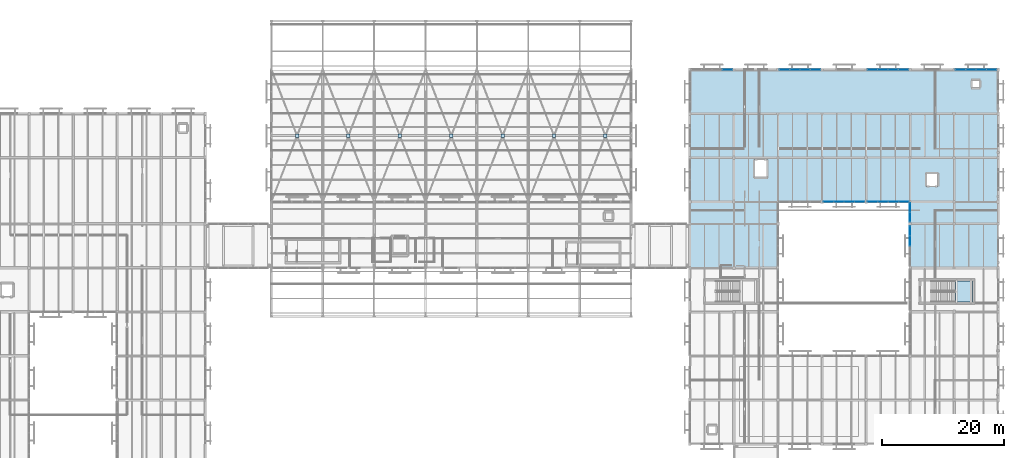
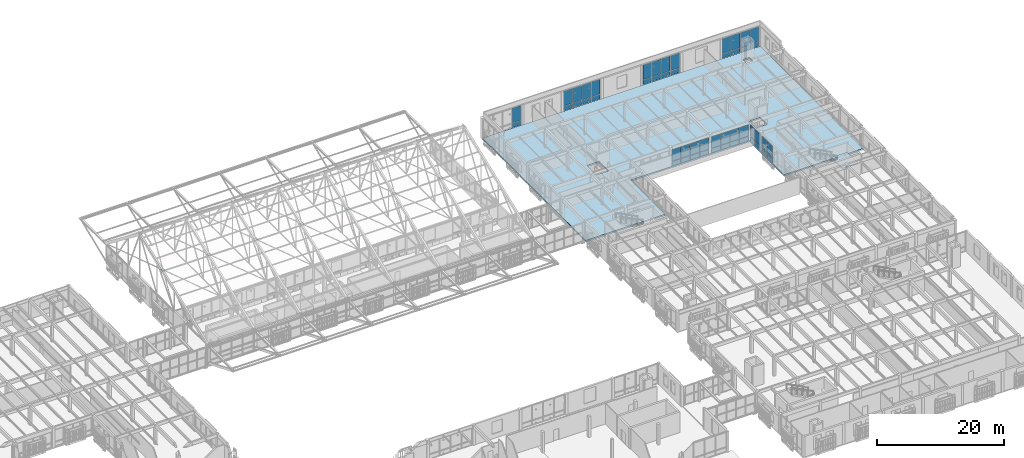
# One storey, part 174 of 217: 57 plates, 2 slabs, 9 elements without a shape of their own.
"""IFC4 building model written with IfcOpenShell, lengths in metres."""

from ifc_helpers import new_model, si_unit, direction, frame, origin, origin_2d, place, context, subcontext, project, spatial, polyline, rectangle, outline, extrude, material, layer, layer_set, type_object, element, aggregate, save


model = new_model("IFC4")

# Units and contexts
model_context = context("Model", 3, precision=1e-05, world=origin(), true_north=direction((0.0, 1.0)))
body_context = subcontext(model_context, "Body", "Model", "MODEL_VIEW")
ifc_project = project(units=[si_unit("LENGTHUNIT", "METRE"), si_unit("AREAUNIT", "SQUARE_METRE"), si_unit("VOLUMEUNIT", "CUBIC_METRE"), si_unit("PLANEANGLEUNIT", "RADIAN"), si_unit("MASSUNIT", "GRAM", prefix="KILO")], contexts=[model_context])

# Site, building, storey
site_placement = place(None, origin())
site = spatial("IfcSite", under=ifc_project, at=site_placement, CompositionType="ELEMENT")
building_placement = place(site_placement, origin())
building = spatial("IfcBuilding", under=site, at=building_placement, Name="Mazaris Harbour Polytechnic", CompositionType="ELEMENT")
storey_placement = place(building_placement, frame((0.0, 0.0, 9.60009765625)))
storey = spatial("IfcBuildingStorey", under=building, at=storey_placement, Name="L02", CompositionType="ELEMENT", Elevation=9.60009765625)

# Slab
ifc_material_1 = material(Name="Glulam GL28h and Concrete C30/37", Category="concrete")
ifc_layer_1 = layer(ifc_material_1, 0.280029296875, Name="Glulam GL28h and Concrete C30/37")
ifc_layer_set_1 = layer_set([ifc_layer_1], Name="Glulam GL28h and Concrete C30/37")
slab_type_1 = type_object("IfcSlabType", Name="CLT Composite Floor 280", PredefinedType="FLOOR", material=ifc_layer_set_1)
slab_1_placement = place(storey_placement, frame((0.0, 0.0, -0.280029296875)))
element("IfcSlab", 1, at=slab_1_placement, inside=storey, type_object=slab_type_1, Name="V5 L02 Floor Slab", PredefinedType="FLOOR", context=body_context, shape_type="SweptSolid", body=[
    extrude(outline(polyline([(172.800048828125, 75.60009765625), (158.39990234375, 75.60009765625), (158.39990234375, 86.39990234375), (136.800048828125, 86.39990234375), (136.800048828125, 75.60009765625), (122.39990234375, 75.60009765625), (122.39990234375, 108.0), (172.800048828125, 108.0), (172.800048828125, 75.60009765625)]), holes=[polyline([(135.10009765625, 93.300048828125), (132.89990234375, 93.300048828125), (132.89990234375, 90.300048828125), (135.10009765625, 90.300048828125), (135.10009765625, 93.300048828125)]), polyline([(163.0, 88.89990234375), (163.0, 91.10009765625), (161.0, 91.10009765625), (161.0, 88.89990234375), (163.0, 88.89990234375)]), polyline([(168.580078125, 106.199951171875), (168.580078125, 105.080078125), (169.699951171875, 105.080078125), (169.699951171875, 106.199951171875), (168.580078125, 106.199951171875)])]), origin(), (0.0, 0.0, 1.0), 0.280029296875),
])

# Stair, slab
ifc_material_2 = material(Name="Concrete C40/50", Category="concrete")
stair_type = type_object("IfcStairType", Name="Core Exit Stair H4200", PredefinedType="HALF_TURN_STAIR", material=ifc_material_2)
stair_placement = place(storey_placement, origin())
stair = element("IfcStair", 2, at=stair_placement, inside=storey, type_object=stair_type, Name="L02 ST10", PredefinedType="HALF_TURN_STAIR")
ifc_material_3 = material(Name="Concrete C40/50", Category="concrete")
ifc_layer_2 = layer(ifc_material_3, 0.199951171875, Name="Concrete C40/50")
ifc_layer_set_2 = layer_set([ifc_layer_2], Name="Concrete C40/50")
slab_type_2 = type_object("IfcSlabType", Name="RC Stair Landing 200", PredefinedType="LANDING", material=ifc_layer_set_2)
slab_2_placement = place(storey_placement, frame((0.0, 0.0, 1.89990234375)))
slab_2 = element("IfcSlab", 3, at=slab_2_placement, type_object=slab_type_2, Name="ST10 landing 1", PredefinedType="LANDING", context=body_context, shape_type="SweptSolid", body=[
    extrude(outline(polyline([(165.75, 70.0), (168.60009765625, 70.0), (168.60009765625, 73.449951171875), (165.75, 73.449951171875), (165.75, 70.0)])), origin(), (0.0, 0.0, 1.0), 0.199951171875),
])
aggregate(stair, [slab_2])

# Curtain wall, plates
ifc_material_4 = material(Name="Anodised Bronze Aluminium and Low-E Glass", Category="aluminium")
ifc_layer_3 = layer(ifc_material_4, 0.169921875, Name="Anodised Bronze Aluminium and Low-E Glass")
ifc_layer_set_3 = layer_set([ifc_layer_3], Name="Anodised Bronze Aluminium and Low-E Glass")
curtain_wall_type = type_object("IfcCurtainWallType", Name="Studio North-Light Curtain Wall", PredefinedType="NOTDEFINED", material=ifc_layer_set_3)
curtain_wall_1_placement = place(storey_placement, origin())
curtain_wall_1 = element("IfcCurtainWall", 4, at=curtain_wall_1_placement, inside=storey, type_object=curtain_wall_type, Name="V5 L02 Curtain Wall 227", PredefinedType="NOTDEFINED")
ifc_material_5 = material(Name="Solar-Control Low-E Glazing", Category="glass")
ifc_layer_4 = layer(ifc_material_5, 0.031982421875, Name="Solar-Control Low-E Glazing")
ifc_layer_set_4 = layer_set([ifc_layer_4], Name="Solar-Control Low-E Glazing")
plate_type_1 = type_object("IfcPlateType", Name="Solar Control Studio Glass Panel 32", PredefinedType="CURTAIN_PANEL", material=ifc_layer_set_4)
plate_1_placement = place(storey_placement, frame((128.54736328125, 108.0, 0.079833984375), z_axis=(0.0, 0.0, 1.0), x_axis=(1.0, 0.0, 0.0)))
plate_1 = element("IfcPlate", 5, at=plate_1_placement, type_object=plate_type_1, Name="CW-03 panel 4.1", PredefinedType="CURTAIN_PANEL", context=body_context, shape_type="SweptSolid", body=[
    extrude(rectangle(XDim=1.58154296875, YDim=0.031982421875, at=origin_2d()), origin(), (0.0, 0.0, 1.0), 0.830078125),
])
plate_2_placement = place(storey_placement, frame((128.54736328125, 108.0, 0.98974609375), z_axis=(0.0, 0.0, 1.0), x_axis=(1.0, 0.0, 0.0)))
plate_2 = element("IfcPlate", 6, at=plate_2_placement, type_object=plate_type_1, Name="CW-03 panel 4.2", PredefinedType="CURTAIN_PANEL", context=body_context, shape_type="SweptSolid", body=[
    extrude(rectangle(XDim=1.58154296875, YDim=0.031982421875, at=origin_2d()), origin(), (0.0, 0.0, 1.0), 2.85009765625),
])
aggregate(curtain_wall_1, [plate_1, plate_2])

curtain_wall_2_placement = place(storey_placement, origin())
curtain_wall_2 = element("IfcCurtainWall", 7, at=curtain_wall_2_placement, inside=storey, type_object=curtain_wall_type, Name="V5 L02 Curtain Wall 228", PredefinedType="NOTDEFINED")
plate_3_placement = place(storey_placement, frame((137.888916015625, 108.0, 0.079833984375), z_axis=(0.0, 0.0, 1.0), x_axis=(1.0, 0.0, 0.0)))
plate_3 = element("IfcPlate", 8, at=plate_3_placement, type_object=plate_type_1, Name="CW-03 panel 1.1", PredefinedType="CURTAIN_PANEL", context=body_context, shape_type="SweptSolid", body=[
    extrude(rectangle(XDim=1.573974609375, YDim=0.031982421875, at=origin_2d()), origin(), (0.0, 0.0, 1.0), 0.830078125),
])
plate_4_placement = place(storey_placement, frame((137.888916015625, 108.0, 0.98974609375), z_axis=(0.0, 0.0, 1.0), x_axis=(1.0, 0.0, 0.0)))
plate_4 = element("IfcPlate", 9, at=plate_4_placement, type_object=plate_type_1, Name="CW-03 panel 1.2", PredefinedType="CURTAIN_PANEL", context=body_context, shape_type="SweptSolid", body=[
    extrude(rectangle(XDim=1.573974609375, YDim=0.031982421875, at=origin_2d()), origin(), (0.0, 0.0, 1.0), 2.85009765625),
])
plate_5_placement = place(storey_placement, frame((139.56298828125, 108.0, 0.079833984375), z_axis=(0.0, 0.0, 1.0), x_axis=(1.0, 0.0, 0.0)))
plate_5 = element("IfcPlate", 10, at=plate_5_placement, type_object=plate_type_1, Name="CW-03 panel 2.1", PredefinedType="CURTAIN_PANEL", context=body_context, shape_type="SweptSolid", body=[
    extrude(rectangle(XDim=1.614013671875, YDim=0.031982421875, at=origin_2d()), origin(), (0.0, 0.0, 1.0), 0.830078125),
])
plate_6_placement = place(storey_placement, frame((139.56298828125, 108.0, 0.98974609375), z_axis=(0.0, 0.0, 1.0), x_axis=(1.0, 0.0, 0.0)))
plate_6 = element("IfcPlate", 11, at=plate_6_placement, type_object=plate_type_1, Name="CW-03 panel 2.2", PredefinedType="CURTAIN_PANEL", context=body_context, shape_type="SweptSolid", body=[
    extrude(rectangle(XDim=1.614013671875, YDim=0.031982421875, at=origin_2d()), origin(), (0.0, 0.0, 1.0), 2.85009765625),
])
plate_7_placement = place(storey_placement, frame((141.257080078125, 108.0, 0.079833984375), z_axis=(0.0, 0.0, 1.0), x_axis=(1.0, 0.0, 0.0)))
plate_7 = element("IfcPlate", 12, at=plate_7_placement, type_object=plate_type_1, Name="CW-03 panel 3.1", PredefinedType="CURTAIN_PANEL", context=body_context, shape_type="SweptSolid", body=[
    extrude(rectangle(XDim=1.614013671875, YDim=0.031982421875, at=origin_2d()), origin(), (0.0, 0.0, 1.0), 0.830078125),
])
plate_8_placement = place(storey_placement, frame((141.257080078125, 108.0, 0.98974609375), z_axis=(0.0, 0.0, 1.0), x_axis=(1.0, 0.0, 0.0)))
plate_8 = element("IfcPlate", 13, at=plate_8_placement, type_object=plate_type_1, Name="CW-03 panel 3.2", PredefinedType="CURTAIN_PANEL", context=body_context, shape_type="SweptSolid", body=[
    extrude(rectangle(XDim=1.614013671875, YDim=0.031982421875, at=origin_2d()), origin(), (0.0, 0.0, 1.0), 2.85009765625),
])
plate_9_placement = place(storey_placement, frame((142.930908203125, 108.0, 0.079833984375), z_axis=(0.0, 0.0, 1.0), x_axis=(1.0, 0.0, 0.0)))
plate_9 = element("IfcPlate", 14, at=plate_9_placement, type_object=plate_type_1, Name="CW-03 panel 4.1", PredefinedType="CURTAIN_PANEL", context=body_context, shape_type="SweptSolid", body=[
    extrude(rectangle(XDim=1.573974609375, YDim=0.031982421875, at=origin_2d()), origin(), (0.0, 0.0, 1.0), 0.830078125),
])
plate_10_placement = place(storey_placement, frame((142.930908203125, 108.0, 0.98974609375), z_axis=(0.0, 0.0, 1.0), x_axis=(1.0, 0.0, 0.0)))
plate_10 = element("IfcPlate", 15, at=plate_10_placement, type_object=plate_type_1, Name="CW-03 panel 4.2", PredefinedType="CURTAIN_PANEL", context=body_context, shape_type="SweptSolid", body=[
    extrude(rectangle(XDim=1.573974609375, YDim=0.031982421875, at=origin_2d()), origin(), (0.0, 0.0, 1.0), 2.85009765625),
])
aggregate(curtain_wall_2, [plate_3, plate_4, plate_5, plate_6, plate_7, plate_8, plate_9, plate_10])

curtain_wall_3_placement = place(storey_placement, origin())
curtain_wall_3 = element("IfcCurtainWall", 16, at=curtain_wall_3_placement, inside=storey, type_object=curtain_wall_type, Name="V5 L02 Curtain Wall 229", PredefinedType="NOTDEFINED")
plate_11_placement = place(storey_placement, frame((152.25146484375, 108.0, 0.079833984375), z_axis=(0.0, 0.0, 1.0), x_axis=(1.0, 0.0, 0.0)))
plate_11 = element("IfcPlate", 17, at=plate_11_placement, type_object=plate_type_1, Name="CW-03 panel 1.1", PredefinedType="CURTAIN_PANEL", context=body_context, shape_type="SweptSolid", body=[
    extrude(rectangle(XDim=1.5791015625, YDim=0.031982421875, at=origin_2d()), origin(), (0.0, 0.0, 1.0), 0.830078125),
])
plate_12_placement = place(storey_placement, frame((152.25146484375, 108.0, 0.98974609375), z_axis=(0.0, 0.0, 1.0), x_axis=(1.0, 0.0, 0.0)))
plate_12 = element("IfcPlate", 18, at=plate_12_placement, type_object=plate_type_1, Name="CW-03 panel 1.2", PredefinedType="CURTAIN_PANEL", context=body_context, shape_type="SweptSolid", body=[
    extrude(rectangle(XDim=1.5791015625, YDim=0.031982421875, at=origin_2d()), origin(), (0.0, 0.0, 1.0), 2.85009765625),
])
plate_13_placement = place(storey_placement, frame((153.930419921875, 108.0, 0.079833984375), z_axis=(0.0, 0.0, 1.0), x_axis=(1.0, 0.0, 0.0)))
plate_13 = element("IfcPlate", 19, at=plate_13_placement, type_object=plate_type_1, Name="CW-03 panel 2.1", PredefinedType="CURTAIN_PANEL", context=body_context, shape_type="SweptSolid", body=[
    extrude(rectangle(XDim=1.618896484375, YDim=0.031982421875, at=origin_2d()), origin(), (0.0, 0.0, 1.0), 0.830078125),
])
plate_14_placement = place(storey_placement, frame((153.930419921875, 108.0, 0.98974609375), z_axis=(0.0, 0.0, 1.0), x_axis=(1.0, 0.0, 0.0)))
plate_14 = element("IfcPlate", 20, at=plate_14_placement, type_object=plate_type_1, Name="CW-03 panel 2.2", PredefinedType="CURTAIN_PANEL", context=body_context, shape_type="SweptSolid", body=[
    extrude(rectangle(XDim=1.618896484375, YDim=0.031982421875, at=origin_2d()), origin(), (0.0, 0.0, 1.0), 2.85009765625),
])
plate_15_placement = place(storey_placement, frame((155.62939453125, 108.0, 0.079833984375), z_axis=(0.0, 0.0, 1.0), x_axis=(1.0, 0.0, 0.0)))
plate_15 = element("IfcPlate", 21, at=plate_15_placement, type_object=plate_type_1, Name="CW-03 panel 3.1", PredefinedType="CURTAIN_PANEL", context=body_context, shape_type="SweptSolid", body=[
    extrude(rectangle(XDim=1.618896484375, YDim=0.031982421875, at=origin_2d()), origin(), (0.0, 0.0, 1.0), 0.830078125),
])
plate_16_placement = place(storey_placement, frame((155.62939453125, 108.0, 0.98974609375), z_axis=(0.0, 0.0, 1.0), x_axis=(1.0, 0.0, 0.0)))
plate_16 = element("IfcPlate", 22, at=plate_16_placement, type_object=plate_type_1, Name="CW-03 panel 3.2", PredefinedType="CURTAIN_PANEL", context=body_context, shape_type="SweptSolid", body=[
    extrude(rectangle(XDim=1.618896484375, YDim=0.031982421875, at=origin_2d()), origin(), (0.0, 0.0, 1.0), 2.85009765625),
])
plate_17_placement = place(storey_placement, frame((157.30859375, 108.0, 0.079833984375), z_axis=(0.0, 0.0, 1.0), x_axis=(1.0, 0.0, 0.0)))
plate_17 = element("IfcPlate", 23, at=plate_17_placement, type_object=plate_type_1, Name="CW-03 panel 4.1", PredefinedType="CURTAIN_PANEL", context=body_context, shape_type="SweptSolid", body=[
    extrude(rectangle(XDim=1.5791015625, YDim=0.031982421875, at=origin_2d()), origin(), (0.0, 0.0, 1.0), 0.830078125),
])
plate_18_placement = place(storey_placement, frame((157.30859375, 108.0, 0.98974609375), z_axis=(0.0, 0.0, 1.0), x_axis=(1.0, 0.0, 0.0)))
plate_18 = element("IfcPlate", 24, at=plate_18_placement, type_object=plate_type_1, Name="CW-03 panel 4.2", PredefinedType="CURTAIN_PANEL", context=body_context, shape_type="SweptSolid", body=[
    extrude(rectangle(XDim=1.5791015625, YDim=0.031982421875, at=origin_2d()), origin(), (0.0, 0.0, 1.0), 2.85009765625),
])
aggregate(curtain_wall_3, [plate_11, plate_12, plate_13, plate_14, plate_15, plate_16, plate_17, plate_18])

curtain_wall_4_placement = place(storey_placement, origin())
curtain_wall_4 = element("IfcCurtainWall", 25, at=curtain_wall_4_placement, inside=storey, type_object=curtain_wall_type, Name="V5 L02 Curtain Wall 230", PredefinedType="NOTDEFINED")
plate_19_placement = place(storey_placement, frame((166.64404296875, 108.0, 0.079833984375), z_axis=(0.0, 0.0, 1.0), x_axis=(1.0, 0.0, 0.0)))
plate_19 = element("IfcPlate", 26, at=plate_19_placement, type_object=plate_type_1, Name="CW-03 panel 1.1", PredefinedType="CURTAIN_PANEL", context=body_context, shape_type="SweptSolid", body=[
    extrude(rectangle(XDim=1.583984375, YDim=0.031982421875, at=origin_2d()), origin(), (0.0, 0.0, 1.0), 0.830078125),
])
plate_20_placement = place(storey_placement, frame((166.64404296875, 108.0, 0.98974609375), z_axis=(0.0, 0.0, 1.0), x_axis=(1.0, 0.0, 0.0)))
plate_20 = element("IfcPlate", 27, at=plate_20_placement, type_object=plate_type_1, Name="CW-03 panel 1.2", PredefinedType="CURTAIN_PANEL", context=body_context, shape_type="SweptSolid", body=[
    extrude(rectangle(XDim=1.583984375, YDim=0.031982421875, at=origin_2d()), origin(), (0.0, 0.0, 1.0), 2.85009765625),
])
plate_21_placement = place(storey_placement, frame((168.327880859375, 108.0, 0.079833984375), z_axis=(0.0, 0.0, 1.0), x_axis=(1.0, 0.0, 0.0)))
plate_21 = element("IfcPlate", 28, at=plate_21_placement, type_object=plate_type_1, Name="CW-03 panel 2.1", PredefinedType="CURTAIN_PANEL", context=body_context, shape_type="SweptSolid", body=[
    extrude(rectangle(XDim=1.6240234375, YDim=0.031982421875, at=origin_2d()), origin(), (0.0, 0.0, 1.0), 0.830078125),
])
plate_22_placement = place(storey_placement, frame((168.327880859375, 108.0, 0.98974609375), z_axis=(0.0, 0.0, 1.0), x_axis=(1.0, 0.0, 0.0)))
plate_22 = element("IfcPlate", 29, at=plate_22_placement, type_object=plate_type_1, Name="CW-03 panel 2.2", PredefinedType="CURTAIN_PANEL", context=body_context, shape_type="SweptSolid", body=[
    extrude(rectangle(XDim=1.6240234375, YDim=0.031982421875, at=origin_2d()), origin(), (0.0, 0.0, 1.0), 2.85009765625),
])
plate_23_placement = place(storey_placement, frame((170.031982421875, 108.0, 0.079833984375), z_axis=(0.0, 0.0, 1.0), x_axis=(1.0, 0.0, 0.0)))
plate_23 = element("IfcPlate", 30, at=plate_23_placement, type_object=plate_type_1, Name="CW-03 panel 3.1", PredefinedType="CURTAIN_PANEL", context=body_context, shape_type="SweptSolid", body=[
    extrude(rectangle(XDim=1.6240234375, YDim=0.031982421875, at=origin_2d()), origin(), (0.0, 0.0, 1.0), 0.830078125),
])
plate_24_placement = place(storey_placement, frame((170.031982421875, 108.0, 0.98974609375), z_axis=(0.0, 0.0, 1.0), x_axis=(1.0, 0.0, 0.0)))
plate_24 = element("IfcPlate", 31, at=plate_24_placement, type_object=plate_type_1, Name="CW-03 panel 3.2", PredefinedType="CURTAIN_PANEL", context=body_context, shape_type="SweptSolid", body=[
    extrude(rectangle(XDim=1.6240234375, YDim=0.031982421875, at=origin_2d()), origin(), (0.0, 0.0, 1.0), 2.85009765625),
])
plate_25_placement = place(storey_placement, frame((171.716064453125, 108.0, 0.079833984375), z_axis=(0.0, 0.0, 1.0), x_axis=(1.0, 0.0, 0.0)))
plate_25 = element("IfcPlate", 32, at=plate_25_placement, type_object=plate_type_1, Name="CW-03 panel 4.1", PredefinedType="CURTAIN_PANEL", context=body_context, shape_type="SweptSolid", body=[
    extrude(rectangle(XDim=1.583984375, YDim=0.031982421875, at=origin_2d()), origin(), (0.0, 0.0, 1.0), 0.830078125),
])
plate_26_placement = place(storey_placement, frame((171.716064453125, 108.0, 0.98974609375), z_axis=(0.0, 0.0, 1.0), x_axis=(1.0, 0.0, 0.0)))
plate_26 = element("IfcPlate", 33, at=plate_26_placement, type_object=plate_type_1, Name="CW-03 panel 4.2", PredefinedType="CURTAIN_PANEL", context=body_context, shape_type="SweptSolid", body=[
    extrude(rectangle(XDim=1.583984375, YDim=0.031982421875, at=origin_2d()), origin(), (0.0, 0.0, 1.0), 2.85009765625),
])
aggregate(curtain_wall_4, [plate_19, plate_20, plate_21, plate_22, plate_23, plate_24, plate_25, plate_26])

curtain_wall_5_placement = place(storey_placement, origin())
curtain_wall_5 = element("IfcCurtainWall", 34, at=curtain_wall_5_placement, inside=storey, type_object=curtain_wall_type, Name="V5 L02 Curtain Wall 239", PredefinedType="NOTDEFINED")
plate_27_placement = place(storey_placement, frame((150.138427734375, 86.39990234375, 0.079833984375), z_axis=(0.0, 0.0, 1.0), x_axis=(-1.0, 0.0, 0.0)))
plate_27 = element("IfcPlate", 35, at=plate_27_placement, type_object=plate_type_1, Name="CW-03 panel 1.1", PredefinedType="CURTAIN_PANEL", context=body_context, shape_type="SweptSolid", body=[
    extrude(rectangle(XDim=1.5791015625, YDim=0.031982421875, at=origin_2d()), origin(), (0.0, 0.0, 1.0), 0.830078125),
])
plate_28_placement = place(storey_placement, frame((150.138427734375, 86.39990234375, 0.98974609375), z_axis=(0.0, 0.0, 1.0), x_axis=(-1.0, 0.0, 0.0)))
plate_28 = element("IfcPlate", 36, at=plate_28_placement, type_object=plate_type_1, Name="CW-03 panel 1.2", PredefinedType="CURTAIN_PANEL", context=body_context, shape_type="SweptSolid", body=[
    extrude(rectangle(XDim=1.5791015625, YDim=0.031982421875, at=origin_2d()), origin(), (0.0, 0.0, 1.0), 2.199951171875),
])
plate_29_placement = place(storey_placement, frame((148.45947265625, 86.39990234375, 0.079833984375), z_axis=(0.0, 0.0, 1.0), x_axis=(-1.0, 0.0, 0.0)))
plate_29 = element("IfcPlate", 37, at=plate_29_placement, type_object=plate_type_1, Name="CW-03 panel 2.1", PredefinedType="CURTAIN_PANEL", context=body_context, shape_type="SweptSolid", body=[
    extrude(rectangle(XDim=1.618896484375, YDim=0.031982421875, at=origin_2d()), origin(), (0.0, 0.0, 1.0), 0.830078125),
])
plate_30_placement = place(storey_placement, frame((148.45947265625, 86.39990234375, 0.98974609375), z_axis=(0.0, 0.0, 1.0), x_axis=(-1.0, 0.0, 0.0)))
plate_30 = element("IfcPlate", 38, at=plate_30_placement, type_object=plate_type_1, Name="CW-03 panel 2.2", PredefinedType="CURTAIN_PANEL", context=body_context, shape_type="SweptSolid", body=[
    extrude(rectangle(XDim=1.618896484375, YDim=0.031982421875, at=origin_2d()), origin(), (0.0, 0.0, 1.0), 2.199951171875),
])
plate_31_placement = place(storey_placement, frame((146.760498046875, 86.39990234375, 0.079833984375), z_axis=(0.0, 0.0, 1.0), x_axis=(-1.0, 0.0, 0.0)))
plate_31 = element("IfcPlate", 39, at=plate_31_placement, type_object=plate_type_1, Name="CW-03 panel 3.1", PredefinedType="CURTAIN_PANEL", context=body_context, shape_type="SweptSolid", body=[
    extrude(rectangle(XDim=1.618896484375, YDim=0.031982421875, at=origin_2d()), origin(), (0.0, 0.0, 1.0), 0.830078125),
])
plate_32_placement = place(storey_placement, frame((146.760498046875, 86.39990234375, 0.98974609375), z_axis=(0.0, 0.0, 1.0), x_axis=(-1.0, 0.0, 0.0)))
plate_32 = element("IfcPlate", 40, at=plate_32_placement, type_object=plate_type_1, Name="CW-03 panel 3.2", PredefinedType="CURTAIN_PANEL", context=body_context, shape_type="SweptSolid", body=[
    extrude(rectangle(XDim=1.618896484375, YDim=0.031982421875, at=origin_2d()), origin(), (0.0, 0.0, 1.0), 2.199951171875),
])
plate_33_placement = place(storey_placement, frame((145.08154296875, 86.39990234375, 0.079833984375), z_axis=(0.0, 0.0, 1.0), x_axis=(-1.0, 0.0, 0.0)))
plate_33 = element("IfcPlate", 41, at=plate_33_placement, type_object=plate_type_1, Name="CW-03 panel 4.1", PredefinedType="CURTAIN_PANEL", context=body_context, shape_type="SweptSolid", body=[
    extrude(rectangle(XDim=1.5791015625, YDim=0.031982421875, at=origin_2d()), origin(), (0.0, 0.0, 1.0), 0.830078125),
])
plate_34_placement = place(storey_placement, frame((145.08154296875, 86.39990234375, 0.98974609375), z_axis=(0.0, 0.0, 1.0), x_axis=(-1.0, 0.0, 0.0)))
plate_34 = element("IfcPlate", 42, at=plate_34_placement, type_object=plate_type_1, Name="CW-03 panel 4.2", PredefinedType="CURTAIN_PANEL", context=body_context, shape_type="SweptSolid", body=[
    extrude(rectangle(XDim=1.5791015625, YDim=0.031982421875, at=origin_2d()), origin(), (0.0, 0.0, 1.0), 2.199951171875),
])
aggregate(curtain_wall_5, [plate_27, plate_28, plate_29, plate_30, plate_31, plate_32, plate_33, plate_34])

curtain_wall_6_placement = place(storey_placement, origin())
curtain_wall_6 = element("IfcCurtainWall", 43, at=curtain_wall_6_placement, inside=storey, type_object=curtain_wall_type, Name="V5 L02 Curtain Wall 240", PredefinedType="NOTDEFINED")
plate_35_placement = place(storey_placement, frame((157.3623046875, 86.39990234375, 0.079833984375), z_axis=(0.0, 0.0, 1.0), x_axis=(-1.0, 0.0, 0.0)))
plate_35 = element("IfcPlate", 44, at=plate_35_placement, type_object=plate_type_1, Name="CW-03 panel 1.1", PredefinedType="CURTAIN_PANEL", context=body_context, shape_type="SweptSolid", body=[
    extrude(rectangle(XDim=1.591552734375, YDim=0.031982421875, at=origin_2d()), origin(), (0.0, 0.0, 1.0), 0.830078125),
])
plate_36_placement = place(storey_placement, frame((157.3623046875, 86.39990234375, 0.98974609375), z_axis=(0.0, 0.0, 1.0), x_axis=(-1.0, 0.0, 0.0)))
plate_36 = element("IfcPlate", 45, at=plate_36_placement, type_object=plate_type_1, Name="CW-03 panel 1.2", PredefinedType="CURTAIN_PANEL", context=body_context, shape_type="SweptSolid", body=[
    extrude(rectangle(XDim=1.591552734375, YDim=0.031982421875, at=origin_2d()), origin(), (0.0, 0.0, 1.0), 2.159912109375),
])
plate_37_placement = place(storey_placement, frame((155.670654296875, 86.39990234375, 0.079833984375), z_axis=(0.0, 0.0, 1.0), x_axis=(-1.0, 0.0, 0.0)))
plate_37 = element("IfcPlate", 46, at=plate_37_placement, type_object=plate_type_1, Name="CW-03 panel 2.1", PredefinedType="CURTAIN_PANEL", context=body_context, shape_type="SweptSolid", body=[
    extrude(rectangle(XDim=1.631591796875, YDim=0.031982421875, at=origin_2d()), origin(), (0.0, 0.0, 1.0), 0.830078125),
])
plate_38_placement = place(storey_placement, frame((155.670654296875, 86.39990234375, 0.98974609375), z_axis=(0.0, 0.0, 1.0), x_axis=(-1.0, 0.0, 0.0)))
plate_38 = element("IfcPlate", 47, at=plate_38_placement, type_object=plate_type_1, Name="CW-03 panel 2.2", PredefinedType="CURTAIN_PANEL", context=body_context, shape_type="SweptSolid", body=[
    extrude(rectangle(XDim=1.631591796875, YDim=0.031982421875, at=origin_2d()), origin(), (0.0, 0.0, 1.0), 2.159912109375),
])
plate_39_placement = place(storey_placement, frame((153.959228515625, 86.39990234375, 0.079833984375), z_axis=(0.0, 0.0, 1.0), x_axis=(-1.0, 0.0, 0.0)))
plate_39 = element("IfcPlate", 48, at=plate_39_placement, type_object=plate_type_1, Name="CW-03 panel 3.1", PredefinedType="CURTAIN_PANEL", context=body_context, shape_type="SweptSolid", body=[
    extrude(rectangle(XDim=1.631591796875, YDim=0.031982421875, at=origin_2d()), origin(), (0.0, 0.0, 1.0), 0.830078125),
])
plate_40_placement = place(storey_placement, frame((153.959228515625, 86.39990234375, 0.98974609375), z_axis=(0.0, 0.0, 1.0), x_axis=(-1.0, 0.0, 0.0)))
plate_40 = element("IfcPlate", 49, at=plate_40_placement, type_object=plate_type_1, Name="CW-03 panel 3.2", PredefinedType="CURTAIN_PANEL", context=body_context, shape_type="SweptSolid", body=[
    extrude(rectangle(XDim=1.631591796875, YDim=0.031982421875, at=origin_2d()), origin(), (0.0, 0.0, 1.0), 2.159912109375),
])
plate_41_placement = place(storey_placement, frame((152.267822265625, 86.39990234375, 0.079833984375), z_axis=(0.0, 0.0, 1.0), x_axis=(-1.0, 0.0, 0.0)))
plate_41 = element("IfcPlate", 50, at=plate_41_placement, type_object=plate_type_1, Name="CW-03 panel 4.1", PredefinedType="CURTAIN_PANEL", context=body_context, shape_type="SweptSolid", body=[
    extrude(rectangle(XDim=1.591552734375, YDim=0.031982421875, at=origin_2d()), origin(), (0.0, 0.0, 1.0), 0.830078125),
])
plate_42_placement = place(storey_placement, frame((152.267822265625, 86.39990234375, 0.98974609375), z_axis=(0.0, 0.0, 1.0), x_axis=(-1.0, 0.0, 0.0)))
plate_42 = element("IfcPlate", 51, at=plate_42_placement, type_object=plate_type_1, Name="CW-03 panel 4.2", PredefinedType="CURTAIN_PANEL", context=body_context, shape_type="SweptSolid", body=[
    extrude(rectangle(XDim=1.591552734375, YDim=0.031982421875, at=origin_2d()), origin(), (0.0, 0.0, 1.0), 2.159912109375),
])
aggregate(curtain_wall_6, [plate_35, plate_36, plate_37, plate_38, plate_39, plate_40, plate_41, plate_42])

curtain_wall_7_placement = place(storey_placement, origin())
curtain_wall_7 = element("IfcCurtainWall", 52, at=curtain_wall_7_placement, inside=storey, type_object=curtain_wall_type, Name="V5 L02 Curtain Wall 247", PredefinedType="NOTDEFINED")
plate_43_placement = place(storey_placement, frame((158.39990234375, 81.6572265625, 0.079833984375), z_axis=(0.0, 0.0, 1.0), x_axis=(0.0, -1.0, 0.0)))
plate_43 = element("IfcPlate", 53, at=plate_43_placement, type_object=plate_type_1, Name="CW-03 panel 1.1", PredefinedType="CURTAIN_PANEL", context=body_context, shape_type="SweptSolid", body=[
    extrude(rectangle(XDim=1.54150390625, YDim=0.031982421875, at=origin_2d()), origin(), (0.0, 0.0, 1.0), 0.830078125),
])
plate_44_placement = place(storey_placement, frame((158.39990234375, 81.6572265625, 0.98974609375), z_axis=(0.0, 0.0, 1.0), x_axis=(0.0, -1.0, 0.0)))
plate_44 = element("IfcPlate", 54, at=plate_44_placement, type_object=plate_type_1, Name="CW-03 panel 1.2", PredefinedType="CURTAIN_PANEL", context=body_context, shape_type="SweptSolid", body=[
    extrude(rectangle(XDim=1.54150390625, YDim=0.031982421875, at=origin_2d()), origin(), (0.0, 0.0, 1.0), 2.320068359375),
])
plate_45_placement = place(storey_placement, frame((158.39990234375, 80.015869140625, 0.079833984375), z_axis=(0.0, 0.0, 1.0), x_axis=(0.0, -1.0, 0.0)))
plate_45 = element("IfcPlate", 55, at=plate_45_placement, type_object=plate_type_1, Name="CW-03 panel 2.1", PredefinedType="CURTAIN_PANEL", context=body_context, shape_type="SweptSolid", body=[
    extrude(rectangle(XDim=1.58154296875, YDim=0.031982421875, at=origin_2d()), origin(), (0.0, 0.0, 1.0), 0.830078125),
])
plate_46_placement = place(storey_placement, frame((158.39990234375, 80.015869140625, 0.98974609375), z_axis=(0.0, 0.0, 1.0), x_axis=(0.0, -1.0, 0.0)))
plate_46 = element("IfcPlate", 56, at=plate_46_placement, type_object=plate_type_1, Name="CW-03 panel 2.2", PredefinedType="CURTAIN_PANEL", context=body_context, shape_type="SweptSolid", body=[
    extrude(rectangle(XDim=1.58154296875, YDim=0.031982421875, at=origin_2d()), origin(), (0.0, 0.0, 1.0), 2.320068359375),
])
aggregate(curtain_wall_7, [plate_43, plate_44, plate_45, plate_46])

curtain_wall_8_placement = place(storey_placement, origin())
curtain_wall_8 = element("IfcCurtainWall", 57, at=curtain_wall_8_placement, inside=storey, type_object=curtain_wall_type, Name="V5 L02 Curtain Wall 248", PredefinedType="NOTDEFINED")
plate_47_placement = place(storey_placement, frame((158.39990234375, 85.431396484375, 0.079833984375), z_axis=(0.0, 0.0, 1.0), x_axis=(0.0, -1.0, 0.0)))
plate_47 = element("IfcPlate", 58, at=plate_47_placement, type_object=plate_type_1, Name="CW-03 panel 1.1", PredefinedType="CURTAIN_PANEL", context=body_context, shape_type="SweptSolid", body=[
    extrude(rectangle(XDim=1.452880859375, YDim=0.031982421875, at=origin_2d()), origin(), (0.0, 0.0, 1.0), 0.830078125),
])
plate_48_placement = place(storey_placement, frame((158.39990234375, 85.431396484375, 0.98974609375), z_axis=(0.0, 0.0, 1.0), x_axis=(0.0, -1.0, 0.0)))
plate_48 = element("IfcPlate", 59, at=plate_48_placement, type_object=plate_type_1, Name="CW-03 panel 1.2", PredefinedType="CURTAIN_PANEL", context=body_context, shape_type="SweptSolid", body=[
    extrude(rectangle(XDim=1.452880859375, YDim=0.031982421875, at=origin_2d()), origin(), (0.0, 0.0, 1.0), 2.260009765625),
])
plate_49_placement = place(storey_placement, frame((158.39990234375, 83.8984375, 0.079833984375), z_axis=(0.0, 0.0, 1.0), x_axis=(0.0, -1.0, 0.0)))
plate_49 = element("IfcPlate", 60, at=plate_49_placement, type_object=plate_type_1, Name="CW-03 panel 2.1", PredefinedType="CURTAIN_PANEL", context=body_context, shape_type="SweptSolid", body=[
    extrude(rectangle(XDim=1.452880859375, YDim=0.031982421875, at=origin_2d()), origin(), (0.0, 0.0, 1.0), 0.830078125),
])
plate_50_placement = place(storey_placement, frame((158.39990234375, 83.8984375, 0.98974609375), z_axis=(0.0, 0.0, 1.0), x_axis=(0.0, -1.0, 0.0)))
plate_50 = element("IfcPlate", 61, at=plate_50_placement, type_object=plate_type_1, Name="CW-03 panel 2.2", PredefinedType="CURTAIN_PANEL", context=body_context, shape_type="SweptSolid", body=[
    extrude(rectangle(XDim=1.452880859375, YDim=0.031982421875, at=origin_2d()), origin(), (0.0, 0.0, 1.0), 2.260009765625),
])
aggregate(curtain_wall_8, [plate_47, plate_48, plate_49, plate_50])

# Plates
ifc_material_6 = material(Name="Steel S355", Category="steel")
ifc_layer_5 = layer(ifc_material_6, 0.02392578125, Name="Steel S355")
ifc_layer_set_5 = layer_set([ifc_layer_5], Name="Steel S355")
plate_type_2 = type_object("IfcPlateType", Name="X-Brace Crossing Node Plate 560x560x24", PredefinedType="SHEET", material=ifc_layer_set_5)
for number, where, z_axis, x_axis, name in (
    (62, (58.199951171875, 97.199951171875, 3.738037109375), (0.0, 0.0, 1.0), (1.0, 0.0, 0.0), "V1 X-Brace Crossing Gusset Node Plate 1"),
    (63, (66.60009765625, 97.199951171875, 3.738037109375), (0.0, 0.0, 1.0), (1.0, 0.0, 0.0), "V1 X-Brace Crossing Gusset Node Plate 2"),
    (64, (75.0, 97.199951171875, 3.738037109375), (0.0, 0.0, 1.0), (1.0, 0.0, 0.0), "V1 X-Brace Crossing Gusset Node Plate 3"),
    (65, (83.39990234375, 97.199951171875, 3.738037109375), (0.0, 0.0, 1.0), (1.0, 0.0, 0.0), "V1 X-Brace Crossing Gusset Node Plate 4"),
    (66, (91.800048828125, 97.199951171875, 3.738037109375), (0.0, 0.0, 1.0), (1.0, 0.0, 0.0), "V1 X-Brace Crossing Gusset Node Plate 5"),
    (67, (100.199951171875, 97.199951171875, 3.738037109375), (0.0, 0.0, 1.0), (1.0, 0.0, 0.0), "V1 X-Brace Crossing Gusset Node Plate 6"),
    (68, (108.60009765625, 97.199951171875, 3.738037109375), (0.0, 0.0, 1.0), (1.0, 0.0, 0.0), "V1 X-Brace Crossing Gusset Node Plate 7"),
):
    element("IfcPlate", number, at=place(storey_placement, frame(where, z_axis=z_axis, x_axis=x_axis)), inside=storey, type_object=plate_type_2, Name=name, PredefinedType="SHEET", context=body_context, shape_type="SweptSolid", body=[
        extrude(rectangle(XDim=0.56005859375, YDim=0.56005859375, at=origin_2d()), origin(), (0.0, 0.0, 1.0), 0.02392578125),
    ])

save(model, "model.ifc")
